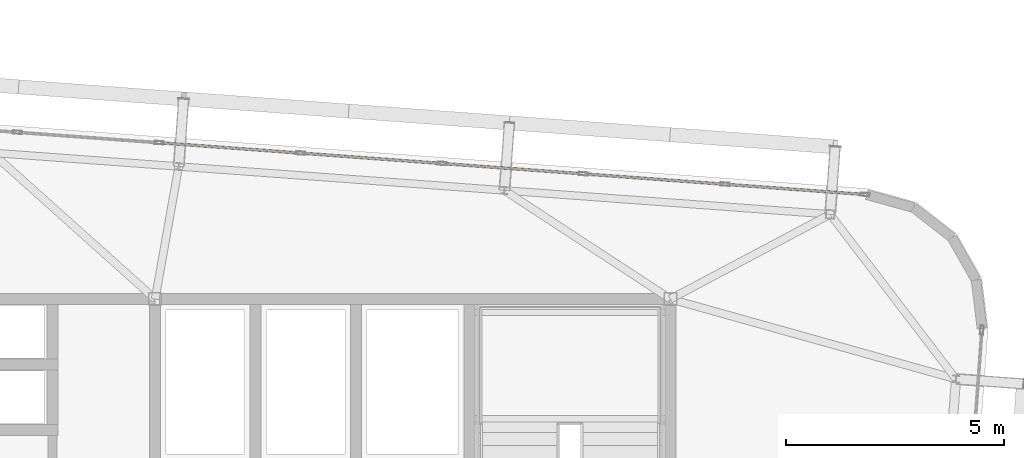
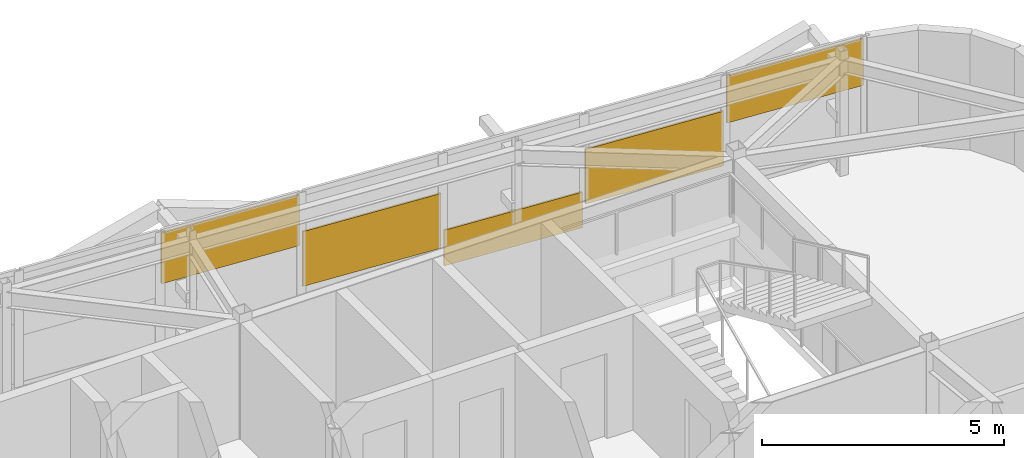
# One storey, part 42 of 42: 5 coverings.
"""IFC4 building model written with IfcOpenShell, lengths in metres."""

import ifcopenshell
import ifcopenshell.guid

model = None  # the IFC model being written
_history = None  # IfcOwnerHistory: only IFC2X3 demands one
_inside = {}  # id of a spatial element -> (the spatial element, [elements in it])
_under = {}  # id of a project, library or spatial element -> (it, [spatial elements below it])
_declared = {}  # id of a project -> (the project, [libraries it declares])
_typed = {}  # id of a type object -> (the type object, [elements of that type])
_made_of = {}  # id of a material, layer set ... -> (it, [elements and type objects made of it])


def new_model(schema):
    """Start an empty IFC model of exactly this schema.

    Asked for "IFC4X3", IfcOpenShell would pick the latest addendum, in which some entities
    have other attributes; the version numbers below select the first issue.
    IFC2X3 requires an IfcOwnerHistory on every rooted entity: one is made here for all.
    """
    global model, _history
    if schema == "IFC4X3":
        model = ifcopenshell.file(schema_version=(4, 3, 0, 0))
    else:
        model = ifcopenshell.file(schema=schema)
    _inside.clear()
    _under.clear()
    _declared.clear()
    _typed.clear()
    _made_of.clear()
    _history = None
    if model.schema == "IFC2X3":
        org = make("IfcOrganization", Name="unknown")
        user = make(
            "IfcPersonAndOrganization",
            ThePerson=make("IfcPerson", FamilyName="unknown"),
            TheOrganization=org,
        )
        app = make(
            "IfcApplication",
            ApplicationDeveloper=org,
            Version="unknown",
            ApplicationFullName="unknown",
            ApplicationIdentifier="unknown",
        )
        _history = make(
            "IfcOwnerHistory",
            OwningUser=user,
            OwningApplication=app,
            ChangeAction="ADDED",
            CreationDate=0,
        )
    return model


def make(cls, **values):
    """One entity of the class cls with the attributes given. An attribute that is None is left unset."""
    return model.create_entity(
        cls, **{name: value for name, value in values.items() if value is not None}
    )


def rooted(cls, **values):
    """An entity with a GlobalId (a new one), such as an element, a storey or a relation."""
    return make(cls, GlobalId=ifcopenshell.guid.new(), OwnerHistory=_history, **values)


def si_unit(unit_type, name, prefix=None):
    """IfcSIUnit, for example si_unit("LENGTHUNIT", "METRE", prefix="MILLI")."""
    return make("IfcSIUnit", UnitType=unit_type, Prefix=prefix, Name=name)


def assignment(units):
    """IfcUnitAssignment: the units of a project."""
    return None if units is None else make("IfcUnitAssignment", Units=units)


def point(xyz):
    """IfcCartesianPoint."""
    return None if xyz is None else make("IfcCartesianPoint", Coordinates=xyz)


def direction(xyz):
    """IfcDirection."""
    return None if xyz is None else make("IfcDirection", DirectionRatios=xyz)


def frame(location, z_axis=None, x_axis=None):
    """IfcAxis2Placement3D, a coordinate frame: its origin and axes. An axis left out is left unset."""
    return make(
        "IfcAxis2Placement3D",
        Location=point(location),
        Axis=direction(z_axis),
        RefDirection=direction(x_axis),
    )


def frame_2d(location, x_axis=None):
    """IfcAxis2Placement2D, a coordinate frame in the plane: its origin and x axis."""
    return make(
        "IfcAxis2Placement2D", Location=point(location), RefDirection=direction(x_axis)
    )


def origin():
    """The frame at (0, 0, 0) with its axes left unset."""
    return frame((0.0, 0.0, 0.0))


def origin_2d():
    """The frame at (0, 0) in the plane with its x axis left unset."""
    return frame_2d((0.0, 0.0))


def place(relative_to, where):
    """IfcLocalPlacement: puts the frame where relative to a parent placement (None: the world)."""
    return make(
        "IfcLocalPlacement", PlacementRelTo=relative_to, RelativePlacement=where
    )


def context(
    kind, dimensions, precision=None, world=None, true_north=None, identifier=None
):
    """IfcGeometricRepresentationContext, for example the 3D "Model" context."""
    return make(
        "IfcGeometricRepresentationContext",
        ContextIdentifier=identifier,
        ContextType=kind,
        CoordinateSpaceDimension=dimensions,
        Precision=precision,
        WorldCoordinateSystem=world,
        TrueNorth=true_north,
    )


def subcontext(parent, identifier, kind, view, scale=None):
    """IfcGeometricRepresentationSubContext, for example "Body" below "Model"."""
    return make(
        "IfcGeometricRepresentationSubContext",
        ContextIdentifier=identifier,
        ContextType=kind,
        ParentContext=parent,
        TargetScale=scale,
        TargetView=view,
    )


def project(units=None, contexts=None):
    """IfcProject with its units and contexts."""
    return rooted(
        "IfcProject",
        Name="project",
        RepresentationContexts=contexts,
        UnitsInContext=assignment(units),
    )


def spatial(cls, under=None, at=None, **own):
    """A site, building, storey or space (cls), placed at a placement, below another one or the project."""
    s = rooted(cls, ObjectPlacement=at, **own)
    if under is not None:
        _under.setdefault(under.id(), (under, []))[1].append(s)
    return s


def profile(cls, at=None, kind="AREA", **sizes):
    """A parametric profile (cls). Its sizes go by their IFC names, for example OverallWidth=200.0."""
    return make(cls, ProfileType=kind, Position=at, **sizes)


def rectangle(**sizes):
    """IfcRectangleProfileDef."""
    return profile("IfcRectangleProfileDef", **sizes)


def extrude(swept, where, along, depth):
    """IfcExtrudedAreaSolid: the profile swept, set in the frame where, extruded along a direction by depth."""
    return make(
        "IfcExtrudedAreaSolid",
        SweptArea=swept,
        Position=where,
        ExtrudedDirection=direction(along),
        Depth=depth,
    )


def shape(context_of_items, identifier, shape_type, items):
    """IfcShapeRepresentation: the items that make up one representation, for example the "Body"."""
    return make(
        "IfcShapeRepresentation",
        ContextOfItems=context_of_items,
        RepresentationIdentifier=identifier,
        RepresentationType=shape_type,
        Items=items,
    )


def source(mapping_origin, context_of_items, identifier, shape_type, items):
    """IfcRepresentationMap: a shape defined once, which mapped items show again and again."""
    return make(
        "IfcRepresentationMap",
        MappingOrigin=mapping_origin,
        MappedRepresentation=shape(context_of_items, identifier, shape_type, items),
    )


def transform(
    local_origin,
    x_axis=None,
    y_axis=None,
    z_axis=None,
    scale=None,
    scale2=None,
    scale3=None,
    uniform=True,
):
    """IfcCartesianTransformationOperator3D, or its non-uniform kind. x_axis, y_axis, z_axis: its Axis1, 2, 3."""
    if uniform:
        return make(
            "IfcCartesianTransformationOperator3D",
            Axis1=direction(x_axis),
            Axis2=direction(y_axis),
            LocalOrigin=point(local_origin),
            Scale=scale,
            Axis3=direction(z_axis),
        )
    return make(
        "IfcCartesianTransformationOperator3DnonUniform",
        Axis1=direction(x_axis),
        Axis2=direction(y_axis),
        LocalOrigin=point(local_origin),
        Scale=scale,
        Axis3=direction(z_axis),
        Scale2=scale2,
        Scale3=scale3,
    )


def mapped(mapping_source, mapping_target):
    """IfcMappedItem: shows the shape of a source again, moved by a transform."""
    return make(
        "IfcMappedItem", MappingSource=mapping_source, MappingTarget=mapping_target
    )


def material(Name=None, Category=None):
    """IfcMaterial."""
    return make("IfcMaterial", Name=Name, Category=Category)


def layer(
    of_material, thickness, ventilated=None, Name=None, Category=None, Priority=None
):
    """IfcMaterialLayer: one layer of a wall or slab, of a material (None: an air gap)."""
    return make(
        "IfcMaterialLayer",
        Material=of_material,
        LayerThickness=thickness,
        IsVentilated=ventilated,
        Name=Name,
        Category=Category,
        Priority=Priority,
    )


def layer_set(layers, Name=None):
    """IfcMaterialLayerSet."""
    return make("IfcMaterialLayerSet", MaterialLayers=layers, LayerSetName=Name)


def made_of(thing, what):
    """Note that an element or type object is made of a material, layer set ...; save() writes the relation."""
    if what is not None:
        _made_of.setdefault(what.id(), (what, []))[1].append(thing)
    return thing


def type_object(cls, material=None, **own):
    """A type object (cls), such as IfcWallType, which elements share."""
    return made_of(rooted(cls, **own), material)


def element(
    cls,
    number,
    at=None,
    inside=None,
    cuts=None,
    type_object=None,
    material=None,
    context=None,
    identifier="Body",
    shape_type=None,
    held_by="IfcProductDefinitionShape",
    body=None,
    shapes=None,
    **own,
):
    """One element of the class cls, such as IfcWall. Its Tag is "e" and its number.

    at: its placement. inside: the storey or other place that contains it. cuts: it is an
    opening in that element (IfcRelVoidsElement). A single representation is given by context,
    identifier, shape_type and body (its items); several are given by shapes. held_by: the class
    of the entity that holds the representations. save() writes the other relations.
    """
    e = rooted(cls, Tag="e%d" % number, ObjectPlacement=at, **own)
    if body is not None:
        shapes = [shape(context, identifier, shape_type, body)]
    if shapes is not None:
        e.Representation = make(held_by, Representations=shapes)
    if inside is not None:
        _inside.setdefault(inside.id(), (inside, []))[1].append(e)
    if cuts is not None:
        rooted(
            "IfcRelVoidsElement", RelatingBuildingElement=cuts, RelatedOpeningElement=e
        )
    if type_object is not None:
        _typed.setdefault(type_object.id(), (type_object, []))[1].append(e)
    return made_of(e, material)


def aggregate(whole, parts):
    """IfcRelAggregates: a whole, such as a stair, and the parts it consists of."""
    return rooted("IfcRelAggregates", RelatingObject=whole, RelatedObjects=parts)


def save(model, path):
    """Write the relations noted so far, then the file.

    IfcRelAggregates (storeys below a building ...), IfcRelContainedInSpatialStructure (elements
    in a storey), IfcRelDefinesByType, IfcRelAssociatesMaterial and IfcRelDeclares: one each for
    every whole, place, type object, material and project.
    """
    for whole, parts in _under.values():
        aggregate(whole, parts)
    for where, things in _inside.values():
        rooted(
            "IfcRelContainedInSpatialStructure",
            RelatedElements=things,
            RelatingStructure=where,
        )
    for kind, things in _typed.values():
        rooted("IfcRelDefinesByType", RelatedObjects=things, RelatingType=kind)
    for what, things in _made_of.values():
        rooted("IfcRelAssociatesMaterial", RelatedObjects=things, RelatingMaterial=what)
    for by, libraries in _declared.values():
        rooted("IfcRelDeclares", RelatingContext=by, RelatedDefinitions=libraries)
    model.write(path)


model = new_model("IFC4")

# Units and contexts
model_context = context("Model", 3, precision=1e-05, world=origin(), true_north=direction((0.0, 1.0)))
body_context = subcontext(model_context, "Body", "Model", "MODEL_VIEW")
ifc_project = project(units=[si_unit("LENGTHUNIT", "METRE"), si_unit("AREAUNIT", "SQUARE_METRE"), si_unit("VOLUMEUNIT", "CUBIC_METRE"), si_unit("PLANEANGLEUNIT", "RADIAN"), si_unit("MASSUNIT", "GRAM", prefix="KILO")], contexts=[model_context])

# Site, building, storey
site_placement = place(None, origin())
site = spatial("IfcSite", under=ifc_project, at=site_placement, CompositionType="ELEMENT")
building_placement = place(site_placement, origin())
building = spatial("IfcBuilding", under=site, at=building_placement, Name="Taldren Reach Tower", CompositionType="ELEMENT")
storey_placement = place(building_placement, frame((0.0, 0.0, 217.699951171875)))
storey = spatial("IfcBuildingStorey", under=building, at=storey_placement, Name="L66", CompositionType="ELEMENT", Elevation=217.699951171875)

# Coverings
ifc_material = material(Name="Pale Champagne Fluoropolymer Aluminium Spandrel Cladding", Category="aluminium")
ifc_layer = layer(ifc_material, 0.0439453125)
ifc_layer_set = layer_set([ifc_layer], Name="Pale Champagne Fluoropolymer Aluminium Spandrel Cladding")
covering_type = type_object("IfcCoveringType", Name="CV-CLAD-044", PredefinedType="CLADDING", material=ifc_layer_set)
shared_shape_1 = source(origin(), body_context, "Body", "SweptSolid", [
    extrude(rectangle(XDim=3.137451171875, YDim=0.0439453125, at=origin_2d()), origin(), (0.0, 0.0, 1.0), 1.1796875),
])
covering_1_placement = place(storey_placement, frame((53.855224609375, 34.51025390625, 1.6904296875), z_axis=(0.0, 0.0, 1.0), x_axis=(-0.997314476006, 0.073238213716, 0.0)))
element("IfcCovering", 1, at=covering_1_placement, inside=storey, type_object=covering_type, Name="Diagrid closure cladding strip CW-6 panel 1.1 1", PredefinedType="CLADDING", context=body_context, shape_type="MappedRepresentation", body=[
    mapped(shared_shape_1, transform((0.0, 0.0, 0.0), scale=1.0)),
])
shared_shape_2 = source(origin(), body_context, "Body", "SweptSolid", [
    extrude(rectangle(XDim=3.175048828125, YDim=0.0439453125, at=origin_2d()), origin(), (0.0, 0.0, 1.0), 1.383056640625),
])
for number, where, z_axis, x_axis, name in (
    (2, (50.632568359375, 34.746826171875, 0.634765625), (0.0, 0.0, 1.0), (-0.997314476006, 0.073238213716, 0.0), "Diagrid closure cladding strip CW-6 panel 2.1 1"),
    (3, (44.150146484375, 35.222900390625, 0.5341796875), (0.0, 0.0, 1.0), (-0.997314476006, 0.073238213716, 0.0), "Diagrid closure cladding strip CW-6 panel 4.1 1"),
):
    element("IfcCovering", number, at=place(storey_placement, frame(where, z_axis=z_axis, x_axis=x_axis)), inside=storey, type_object=covering_type, Name=name, PredefinedType="CLADDING", context=body_context, shape_type="MappedRepresentation", body=[
        mapped(shared_shape_2, transform((0.0, 0.0, 0.0), scale=1.0)),
    ])
shared_shape_3 = source(origin(), body_context, "Body", "SweptSolid", [
    extrude(rectangle(XDim=3.175048828125, YDim=0.0439453125, at=origin_2d()), origin(), (0.0, 0.0, 1.0), 0.90185546875),
])
covering_2_placement = place(storey_placement, frame((47.391357421875, 34.98486328125, 0.06005859375), z_axis=(0.0, 0.0, 1.0), x_axis=(-0.997314476006, 0.073238213716, 0.0)))
element("IfcCovering", 4, at=covering_2_placement, inside=storey, type_object=covering_type, Name="Diagrid closure cladding strip CW-6 panel 3.1 1", PredefinedType="CLADDING", context=body_context, shape_type="MappedRepresentation", body=[
    mapped(shared_shape_3, transform((0.0, 0.0, 0.0), scale=1.0)),
])
shared_shape_4 = source(origin(), body_context, "Body", "SweptSolid", [
    extrude(rectangle(XDim=3.175048828125, YDim=0.0439453125, at=origin_2d()), origin(), (0.0, 0.0, 1.0), 1.2802734375),
])
covering_3_placement = place(storey_placement, frame((40.908935546875, 35.4609375, 1.58984375), z_axis=(0.0, 0.0, 1.0), x_axis=(-0.997314476006, 0.073238213716, 0.0)))
element("IfcCovering", 5, at=covering_3_placement, inside=storey, type_object=covering_type, Name="Diagrid closure cladding strip CW-6 panel 5.1 1", PredefinedType="CLADDING", context=body_context, shape_type="MappedRepresentation", body=[
    mapped(shared_shape_4, transform((0.0, 0.0, 0.0), scale=1.0)),
])

save(model, "model.ifc")
